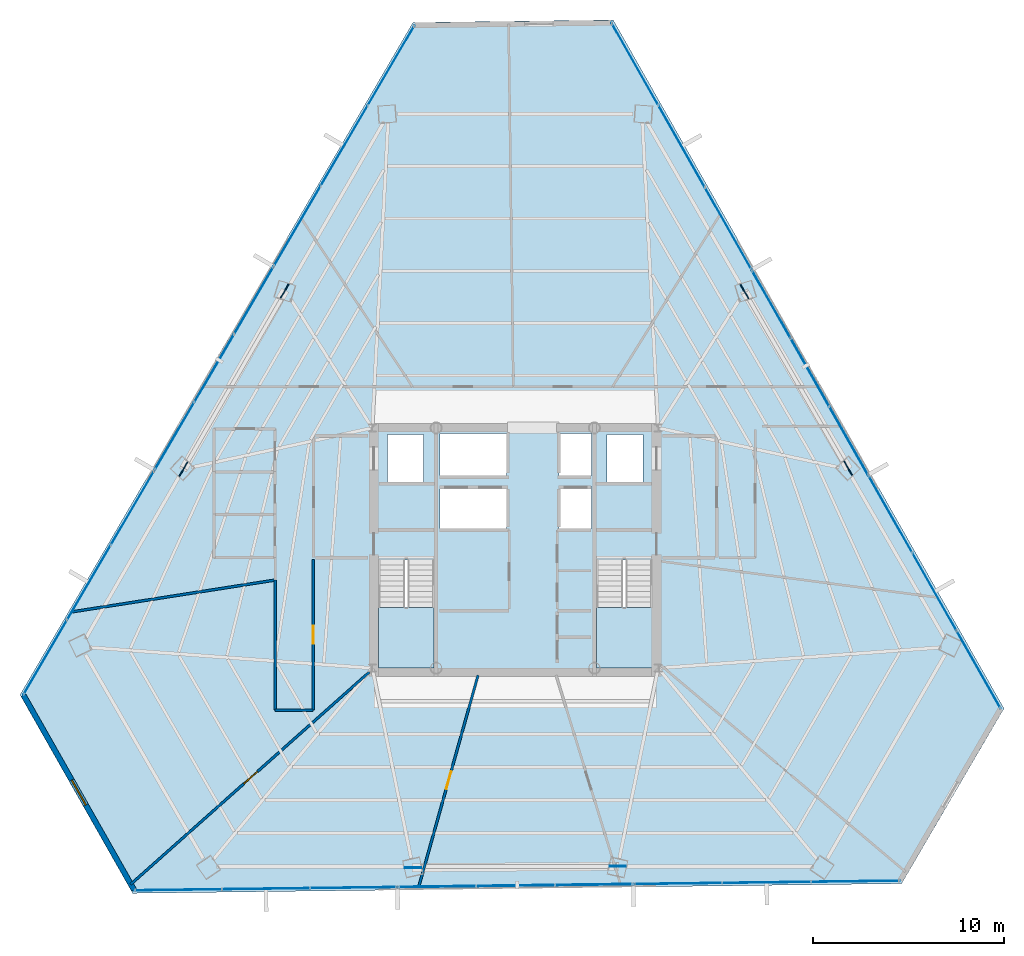
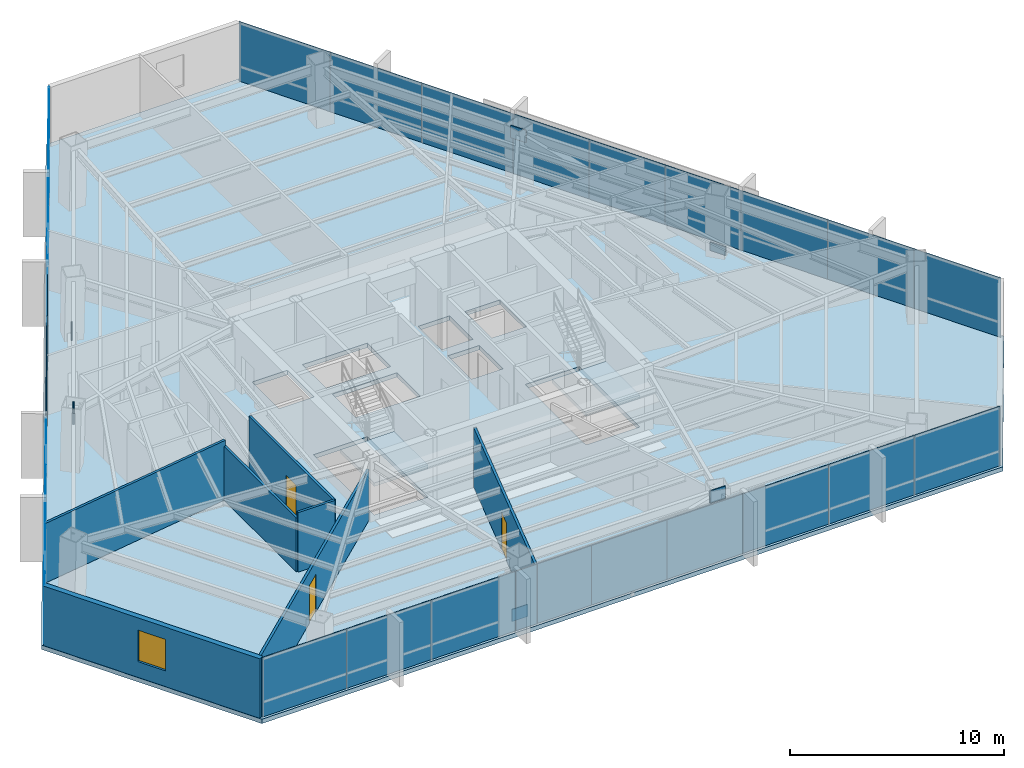
# One storey, part 35 of 41: 33 plates, 7 walls, 3 doors, 3 slabs, 1 window, 4 openings, 11 elements without a shape of their own.
"""IFC4 building model written with IfcOpenShell, lengths in metres."""

from ifc_helpers import new_model, si_unit, direction, frame, frame_2d, origin, origin_2d, place, context, subcontext, project, spatial, polyline, rectangle, outline, extrude, source, transform, mapped, material, layer, layer_set, type_object, type_shapes, element, fill, aggregate, save


model = new_model("IFC4")

# Units and contexts
model_context = context("Model", 3, precision=1e-05, world=origin(), true_north=direction((0.0, 1.0)))
body_context = subcontext(model_context, "Body", "Model", "MODEL_VIEW")
ifc_project = project(units=[si_unit("LENGTHUNIT", "METRE"), si_unit("AREAUNIT", "SQUARE_METRE"), si_unit("VOLUMEUNIT", "CUBIC_METRE"), si_unit("PLANEANGLEUNIT", "RADIAN"), si_unit("MASSUNIT", "GRAM", prefix="KILO")], contexts=[model_context])

# Site, building, storey
site_placement = place(None, origin())
site = spatial("IfcSite", under=ifc_project, at=site_placement, CompositionType="ELEMENT")
building_placement = place(site_placement, origin())
building = spatial("IfcBuilding", under=site, at=building_placement, Name="Caelisora Broadcast Tower", CompositionType="ELEMENT")
storey_placement = place(building_placement, frame((0.0, 0.0, 135.449951171875)))
storey = spatial("IfcBuildingStorey", under=building, at=storey_placement, Name="L35", CompositionType="ELEMENT", Elevation=135.449951171875)

# Slab
ifc_material_1 = material(Name="Concrete 40 MPa (AS 3600 N40)", Category="concrete")
ifc_layer_1 = layer(ifc_material_1, 0.25, Name="Concrete 40 MPa (AS 3600 N40)")
ifc_layer_set_1 = layer_set([ifc_layer_1], Name="Concrete 40 MPa (AS 3600 N40)")
slab_type_1 = type_object("IfcSlabType", Name="SL04", PredefinedType="FLOOR", material=ifc_layer_set_1)
slab_1_placement = place(storey_placement, frame((0.0, 0.0, -0.25)))
element("IfcSlab", 1, at=slab_1_placement, inside=storey, type_object=slab_type_1, Name="L35 suspended floor SL04", PredefinedType="FLOOR", context=body_context, shape_type="SweptSolid", body=[
    extrude(outline(polyline([(43.139892578125, 51.39697265625), (32.631103515625, 51.263916015625), (12.02392578125, 16.0009765625), (17.931884765625, 5.591064453125), (58.26708984375, 6.09912109375), (63.635986328125, 15.285888671875), (43.139892578125, 51.39697265625)]), holes=[polyline([(30.820068359375, 17.39990234375), (33.739990234375, 17.39990234375), (33.739990234375, 23.080078125), (30.820068359375, 23.080078125), (30.820068359375, 17.39990234375)]), polyline([(42.260009765625, 17.39990234375), (45.179931640625, 17.39990234375), (45.179931640625, 23.080078125), (42.260009765625, 23.080078125), (42.260009765625, 17.39990234375)]), polyline([(42.800048828125, 27.14990234375), (44.699951171875, 27.14990234375), (44.699951171875, 29.64990234375), (42.800048828125, 29.64990234375), (42.800048828125, 27.14990234375)]), polyline([(40.300048828125, 24.719970703125), (42.0, 24.719970703125), (42.0, 26.919921875), (40.300048828125, 26.919921875), (40.300048828125, 24.719970703125)]), polyline([(40.300048828125, 27.5), (42.0, 27.5), (42.0, 29.699951171875), (40.300048828125, 29.699951171875), (40.300048828125, 27.5)]), polyline([(34.050048828125, 24.719970703125), (37.550048828125, 24.719970703125), (37.550048828125, 26.919921875), (34.050048828125, 26.919921875), (34.050048828125, 24.719970703125)]), polyline([(34.050048828125, 27.5), (37.550048828125, 27.5), (37.550048828125, 29.699951171875), (34.050048828125, 29.699951171875), (34.050048828125, 27.5)]), polyline([(31.300048828125, 27.14990234375), (33.199951171875, 27.14990234375), (33.199951171875, 29.64990234375), (31.300048828125, 29.64990234375), (31.300048828125, 27.14990234375)])]), origin(), (0.0, 0.0, 1.0), 0.25),
])

# Stair, slab
stair_type_1 = type_object("IfcStairType", Name="ST-1", PredefinedType="HALF_TURN_STAIR", material=ifc_material_1)
stair_1_placement = place(storey_placement, origin())
stair_1 = element("IfcStair", 2, at=stair_1_placement, inside=storey, type_object=stair_type_1, Name="L35 West Fire-Isolated Tower Stair", PredefinedType="HALF_TURN_STAIR")
ifc_layer_2 = layer(ifc_material_1, 0.199951171875, Name="Concrete 40 MPa (AS 3600 N40)")
ifc_layer_set_2 = layer_set([ifc_layer_2], Name="Concrete 40 MPa (AS 3600 N40)")
slab_type_2 = type_object("IfcSlabType", Name="STL-1", PredefinedType="LANDING", material=ifc_layer_set_2)
slab_2_placement = place(storey_placement, frame((0.0, 0.0, 1.625)))
slab_2 = element("IfcSlab", 3, at=slab_2_placement, type_object=slab_type_2, Name="ST-1 landing 1", PredefinedType="LANDING", context=body_context, shape_type="SweptSolid", body=[
    extrude(outline(polyline([(30.820068359375, 20.580078125), (30.820068359375, 17.39990234375), (33.739990234375, 17.39990234375), (33.739990234375, 20.580078125), (30.820068359375, 20.580078125)])), origin(), (0.0, 0.0, 1.0), 0.199951171875),
])
aggregate(stair_1, [slab_2])

stair_type_2 = type_object("IfcStairType", Name="ST-2", PredefinedType="HALF_TURN_STAIR", material=ifc_material_1)
stair_2_placement = place(storey_placement, origin())
stair_2 = element("IfcStair", 4, at=stair_2_placement, inside=storey, type_object=stair_type_2, Name="L35 East Fire-Isolated Tower Stair", PredefinedType="HALF_TURN_STAIR")
slab_3_placement = place(storey_placement, frame((0.0, 0.0, 1.625)))
slab_3 = element("IfcSlab", 5, at=slab_3_placement, type_object=slab_type_2, Name="ST-2 landing 1", PredefinedType="LANDING", context=body_context, shape_type="SweptSolid", body=[
    extrude(outline(polyline([(42.260009765625, 20.580078125), (42.260009765625, 17.39990234375), (45.179931640625, 17.39990234375), (45.179931640625, 20.580078125), (42.260009765625, 20.580078125)])), origin(), (0.0, 0.0, 1.0), 0.199951171875),
])
aggregate(stair_2, [slab_3])

# Plates
ifc_material_2 = material(Name="Steel Grade 350 L15 (AS/NZS 3678)", Category="steel")
ifc_layer_3 = layer(ifc_material_2, 0.050048828125, Name="Steel Grade 350 L15 (AS/NZS 3678)")
ifc_layer_set_3 = layer_set([ifc_layer_3], Name="Steel Grade 350 L15 (AS/NZS 3678)")
plate_type_1 = type_object("IfcPlateType", Name="GP03", PredefinedType="USERDEFINED", material=ifc_layer_set_3)
shared_shape_1 = source(origin(), body_context, "Body", "SweptSolid", [
    extrude(rectangle(XDim=0.85009765625, YDim=0.050048828125, at=origin_2d()), origin(), (0.0, 0.0, 1.0), 0.699951171875),
])
type_shapes(plate_type_1, [shared_shape_1])
for number, where, z_axis, x_axis, name in (
    (6, (25.9033203125, 37.17529296875, -0.22998046875), (0.0, 0.0, 1.0), (-0.5, -0.866025403784, 0.0), "L35 gusset plate GP03 (ND-L35-C02B)"),
    (7, (20.595947265625, 27.838134765625, 2.72998046875), (0.0, 0.0, 1.0), (-0.5, -0.866025403784, 0.0), "L35 gusset plate GP03 (ND-L35-C03T)"),
    (8, (32.638427734375, 6.936279296875, -0.22998046875), (0.0, 0.0, 1.0), (1.0, 0.0, 0.0), "L35 gusset plate GP03 (ND-L35-C06B)"),
    (9, (43.3779296875, 7.008544921875, 2.72998046875), (0.0, 0.0, 1.0), (1.0, 0.0, 0.0), "L35 gusset plate GP03 (ND-L35-C07T)"),
    (10, (55.45849609375, 27.888671875, -0.22998046875), (0.0, 0.0, 1.0), (-0.5, 0.866025403784, 0.0), "L35 gusset plate GP03 (ND-L35-C10B)"),
    (11, (50.02587890625, 37.1533203125, 2.72998046875), (0.0, 0.0, 1.0), (-0.5, 0.866025403784, 0.0), "L35 gusset plate GP03 (ND-L35-C11T)"),
):
    element("IfcPlate", number, at=place(storey_placement, frame(where, z_axis=z_axis, x_axis=x_axis)), inside=storey, type_object=plate_type_1, Name=name, ObjectType="GUSSET PLATE", PredefinedType="USERDEFINED", context=body_context, shape_type="MappedRepresentation", body=[
        mapped(shared_shape_1, transform((0.0, 0.0, 0.0), scale=1.0)),
    ])

# Curtain wall, plates
ifc_material_3 = material(Name="Unitised Aluminium and Low-E Glass Curtain Wall", Category="glass")
curtain_wall_type_1 = type_object("IfcCurtainWallType", Name="CW-Z3", PredefinedType="NOTDEFINED", material=ifc_material_3)
curtain_wall_1_placement = place(storey_placement, origin())
curtain_wall_1 = element("IfcCurtainWall", 12, at=curtain_wall_1_placement, inside=storey, type_object=curtain_wall_type_1, Name="L35 curtain wall CW-Z3", PredefinedType="NOTDEFINED")
ifc_material_4 = material(Name="Double Glazed Low-E Argon IGU", Category="glass")
ifc_layer_4 = layer(ifc_material_4, 0.031982421875, Name="Double Glazed Low-E Argon IGU")
ifc_layer_set_4 = layer_set([ifc_layer_4], Name="Double Glazed Low-E Argon IGU")
plate_type_2 = type_object("IfcPlateType", Name="CWP-04", PredefinedType="CURTAIN_PANEL", material=ifc_layer_set_4)
shared_shape_2 = source(origin(), body_context, "Body", "SweptSolid", [
    extrude(rectangle(XDim=4.961181640625, YDim=0.031982421875, at=origin_2d()), origin(), (0.0, 0.0, 1.0), 3.39990234375),
])
plate_1_placement = place(storey_placement, frame((44.277587890625, 49.088623046875, 0.0), z_axis=(0.0, 0.0, 1.0), x_axis=(0.493638325511, -0.869667294767, 0.0)))
plate_1 = element("IfcPlate", 13, at=plate_1_placement, type_object=plate_type_2, Name="L35-CW-B01 glazed panel #1", PredefinedType="CURTAIN_PANEL", context=body_context, shape_type="MappedRepresentation", body=[
    mapped(shared_shape_2, transform((0.0, 0.0, 0.0), scale=1.0)),
])
plate_2_placement = place(storey_placement, frame((46.7265625, 44.77392578125, 0.0), z_axis=(0.0, 0.0, 1.0), x_axis=(0.493638325511, -0.869667294767, 0.0)))
plate_2 = element("IfcPlate", 14, at=plate_2_placement, type_object=plate_type_2, Name="L35-CW-B01 glazed panel #2", PredefinedType="CURTAIN_PANEL", context=body_context, shape_type="MappedRepresentation", body=[
    mapped(shared_shape_2, transform((0.0, 0.0, 0.0), scale=1.0)),
])
plate_3_placement = place(storey_placement, frame((49.175537109375, 40.458984375, 0.0), z_axis=(0.0, 0.0, 1.0), x_axis=(0.493638325511, -0.869667294767, 0.0)))
plate_3 = element("IfcPlate", 15, at=plate_3_placement, type_object=plate_type_2, Name="L35-CW-B01 glazed panel #3", PredefinedType="CURTAIN_PANEL", context=body_context, shape_type="MappedRepresentation", body=[
    mapped(shared_shape_2, transform((0.0, 0.0, 0.0), scale=1.0)),
])
aggregate(curtain_wall_1, [plate_1, plate_2, plate_3])

ifc_material_5 = material(Name="Unitised Aluminium Insulated Shadow-Box Spandrel Curtain Wall", Category="aluminium")
curtain_wall_type_2 = type_object("IfcCurtainWallType", Name="CW-SP2", PredefinedType="NOTDEFINED", material=ifc_material_5)
curtain_wall_2_placement = place(storey_placement, origin())
curtain_wall_2 = element("IfcCurtainWall", 16, at=curtain_wall_2_placement, inside=storey, type_object=curtain_wall_type_2, Name="L35 curtain wall CW-SP2", PredefinedType="NOTDEFINED")
ifc_material_6 = material(Name="Insulated Terracotta Shadow-Box Spandrel Panel", Category="aluminium")
ifc_layer_5 = layer(ifc_material_6, 0.0439453125, Name="Insulated Terracotta Shadow-Box Spandrel Panel")
ifc_layer_set_5 = layer_set([ifc_layer_5], Name="Insulated Terracotta Shadow-Box Spandrel Panel")
plate_type_3 = type_object("IfcPlateType", Name="CWP-10", PredefinedType="CURTAIN_PANEL", material=ifc_layer_set_5)
shared_shape_3 = source(origin(), body_context, "Body", "SweptSolid", [
    extrude(rectangle(XDim=4.12109375, YDim=0.0439453125, at=origin_2d()), origin(), (0.0, 0.0, 1.0), 3.39990234375),
])
plate_4_placement = place(storey_placement, frame((51.422119140625, 36.5009765625, 0.0), z_axis=(0.0, 0.0, 1.0), x_axis=(0.493638325511, -0.869667294767, 0.0)))
plate_4 = element("IfcPlate", 17, at=plate_4_placement, type_object=plate_type_3, Name="L35-CW-B02 spandrel panel #1", PredefinedType="CURTAIN_PANEL", context=body_context, shape_type="MappedRepresentation", body=[
    mapped(shared_shape_3, transform((0.0, 0.0, 0.0), scale=1.0)),
])
plate_5_placement = place(storey_placement, frame((53.456298828125, 32.9169921875, 0.0), z_axis=(0.0, 0.0, 1.0), x_axis=(0.493638325511, -0.869667294767, 0.0)))
plate_5 = element("IfcPlate", 18, at=plate_5_placement, type_object=plate_type_3, Name="L35-CW-B02 spandrel panel #2", PredefinedType="CURTAIN_PANEL", context=body_context, shape_type="MappedRepresentation", body=[
    mapped(shared_shape_3, transform((0.0, 0.0, 0.0), scale=1.0)),
])
plate_6_placement = place(storey_placement, frame((55.490478515625, 29.333251953125, 0.0), z_axis=(0.0, 0.0, 1.0), x_axis=(0.493638325511, -0.869667294767, 0.0)))
plate_6 = element("IfcPlate", 19, at=plate_6_placement, type_object=plate_type_3, Name="L35-CW-B02 spandrel panel #3", PredefinedType="CURTAIN_PANEL", context=body_context, shape_type="MappedRepresentation", body=[
    mapped(shared_shape_3, transform((0.0, 0.0, 0.0), scale=1.0)),
])
aggregate(curtain_wall_2, [plate_4, plate_5, plate_6])

curtain_wall_3_placement = place(storey_placement, origin())
curtain_wall_3 = element("IfcCurtainWall", 20, at=curtain_wall_3_placement, inside=storey, type_object=curtain_wall_type_2, Name="L35 curtain wall CW-SP2", PredefinedType="NOTDEFINED")
plate_7_placement = place(storey_placement, frame((20.126220703125, 29.568115234375, 0.0), z_axis=(0.0, 0.0, 1.0), x_axis=(0.504527623815, 0.863395550607, 0.0)))
plate_7 = element("IfcPlate", 21, at=plate_7_placement, type_object=plate_type_3, Name="L35-CW-B10 spandrel panel #1", PredefinedType="CURTAIN_PANEL", context=body_context, shape_type="MappedRepresentation", body=[
    mapped(shared_shape_3, transform((0.0, 0.0, 0.0), scale=1.0)),
])
plate_8_placement = place(storey_placement, frame((22.205322265625, 33.126220703125, 0.0), z_axis=(0.0, 0.0, 1.0), x_axis=(0.504527623815, 0.863395550607, 0.0)))
plate_8 = element("IfcPlate", 22, at=plate_8_placement, type_object=plate_type_3, Name="L35-CW-B10 spandrel panel #2", PredefinedType="CURTAIN_PANEL", context=body_context, shape_type="MappedRepresentation", body=[
    mapped(shared_shape_3, transform((0.0, 0.0, 0.0), scale=1.0)),
])
plate_9_placement = place(storey_placement, frame((24.28466796875, 36.68408203125, 0.0), z_axis=(0.0, 0.0, 1.0), x_axis=(0.504527623815, 0.863395550607, 0.0)))
plate_9 = element("IfcPlate", 23, at=plate_9_placement, type_object=plate_type_3, Name="L35-CW-B10 spandrel panel #3", PredefinedType="CURTAIN_PANEL", context=body_context, shape_type="MappedRepresentation", body=[
    mapped(shared_shape_3, transform((0.0, 0.0, 0.0), scale=1.0)),
])
aggregate(curtain_wall_3, [plate_7, plate_8, plate_9])

curtain_wall_4_placement = place(storey_placement, origin())
curtain_wall_4 = element("IfcCurtainWall", 24, at=curtain_wall_4_placement, inside=storey, type_object=curtain_wall_type_1, Name="L35 curtain wall CW-Z3", PredefinedType="NOTDEFINED")
shared_shape_4 = source(origin(), body_context, "Body", "SweptSolid", [
    extrude(rectangle(XDim=4.693603515625, YDim=0.031982421875, at=origin_2d()), origin(), (0.0, 0.0, 1.0), 3.39990234375),
])
plate_10_placement = place(storey_placement, frame((57.6708984375, 25.49169921875, 0.0), z_axis=(0.0, 0.0, 1.0), x_axis=(0.493638325511, -0.869667294767, 0.0)))
plate_10 = element("IfcPlate", 25, at=plate_10_placement, type_object=plate_type_2, Name="L35-CW-B03 glazed panel #1", PredefinedType="CURTAIN_PANEL", context=body_context, shape_type="MappedRepresentation", body=[
    mapped(shared_shape_4, transform((0.0, 0.0, 0.0), scale=1.0)),
])
plate_11_placement = place(storey_placement, frame((59.98779296875, 21.409912109375, 0.0), z_axis=(0.0, 0.0, 1.0), x_axis=(0.493638325511, -0.869667294767, 0.0)))
plate_11 = element("IfcPlate", 26, at=plate_11_placement, type_object=plate_type_2, Name="L35-CW-B03 glazed panel #2", PredefinedType="CURTAIN_PANEL", context=body_context, shape_type="MappedRepresentation", body=[
    mapped(shared_shape_4, transform((0.0, 0.0, 0.0), scale=1.0)),
])
plate_12_placement = place(storey_placement, frame((62.3046875, 17.327880859375, 0.0), z_axis=(0.0, 0.0, 1.0), x_axis=(0.493638325511, -0.869667294767, 0.0)))
plate_12 = element("IfcPlate", 27, at=plate_12_placement, type_object=plate_type_2, Name="L35-CW-B03 glazed panel #3", PredefinedType="CURTAIN_PANEL", context=body_context, shape_type="MappedRepresentation", body=[
    mapped(shared_shape_4, transform((0.0, 0.0, 0.0), scale=1.0)),
])
aggregate(curtain_wall_4, [plate_10, plate_11, plate_12])

curtain_wall_5_placement = place(storey_placement, origin())
curtain_wall_5 = element("IfcCurtainWall", 28, at=curtain_wall_5_placement, inside=storey, type_object=curtain_wall_type_1, Name="L35 curtain wall CW-Z3", PredefinedType="NOTDEFINED")
shared_shape_5 = source(origin(), body_context, "Body", "SweptSolid", [
    extrude(rectangle(XDim=4.659423828125, YDim=0.031982421875, at=origin_2d()), origin(), (0.0, 0.0, 1.0), 3.39990234375),
])
plate_13_placement = place(storey_placement, frame((55.850341796875, 6.218505859375, 0.0), z_axis=(0.0, 0.0, 1.0), x_axis=(-0.999921044204, -0.012566039883, 0.0)))
plate_13 = element("IfcPlate", 29, at=plate_13_placement, type_object=plate_type_2, Name="L35-CW-B05 glazed panel #1", PredefinedType="CURTAIN_PANEL", context=body_context, shape_type="MappedRepresentation", body=[
    mapped(shared_shape_5, transform((0.0, 0.0, 0.0), scale=1.0)),
])
plate_14_placement = place(storey_placement, frame((51.19140625, 6.159912109375, 0.0), z_axis=(0.0, 0.0, 1.0), x_axis=(-0.999921044204, -0.012566039883, 0.0)))
plate_14 = element("IfcPlate", 30, at=plate_14_placement, type_object=plate_type_2, Name="L35-CW-B05 glazed panel #2", PredefinedType="CURTAIN_PANEL", context=body_context, shape_type="MappedRepresentation", body=[
    mapped(shared_shape_5, transform((0.0, 0.0, 0.0), scale=1.0)),
])
plate_15_placement = place(storey_placement, frame((46.531982421875, 6.101318359375, 0.0), z_axis=(0.0, 0.0, 1.0), x_axis=(-0.999921044204, -0.012566039883, 0.0)))
plate_15 = element("IfcPlate", 31, at=plate_15_placement, type_object=plate_type_2, Name="L35-CW-B05 glazed panel #3", PredefinedType="CURTAIN_PANEL", context=body_context, shape_type="MappedRepresentation", body=[
    mapped(shared_shape_5, transform((0.0, 0.0, 0.0), scale=1.0)),
])
aggregate(curtain_wall_5, [plate_13, plate_14, plate_15])

curtain_wall_6_placement = place(storey_placement, origin())
curtain_wall_6 = element("IfcCurtainWall", 32, at=curtain_wall_6_placement, inside=storey, type_object=curtain_wall_type_2, Name="L35 curtain wall CW-SP2", PredefinedType="NOTDEFINED")
shared_shape_6 = source(origin(), body_context, "Body", "SweptSolid", [
    extrude(rectangle(XDim=4.120849609375, YDim=0.0439453125, at=origin_2d()), origin(), (0.0, 0.0, 1.0), 3.39990234375),
])
type_shapes(plate_type_3, [shared_shape_3, shared_shape_6])
plate_16_placement = place(storey_placement, frame((42.13232421875, 6.0458984375, 0.0), z_axis=(0.0, 0.0, 1.0), x_axis=(-0.999921044204, -0.012566039883, 0.0)))
plate_16 = element("IfcPlate", 33, at=plate_16_placement, type_object=plate_type_3, Name="L35-CW-B06 spandrel panel #1", PredefinedType="CURTAIN_PANEL", context=body_context, shape_type="MappedRepresentation", body=[
    mapped(shared_shape_6, transform((0.0, 0.0, 0.0), scale=1.0)),
])
plate_17_placement = place(storey_placement, frame((38.011962890625, 5.993896484375, 0.0), z_axis=(0.0, 0.0, 1.0), x_axis=(-0.999921044204, -0.012566039883, 0.0)))
plate_17 = element("IfcPlate", 34, at=plate_17_placement, type_object=plate_type_3, Name="L35-CW-B06 spandrel panel #2", PredefinedType="CURTAIN_PANEL", context=body_context, shape_type="MappedRepresentation", body=[
    mapped(shared_shape_6, transform((0.0, 0.0, 0.0), scale=1.0)),
])
plate_18_placement = place(storey_placement, frame((33.891357421875, 5.94189453125, 0.0), z_axis=(0.0, 0.0, 1.0), x_axis=(-0.999921044204, -0.012566039883, 0.0)))
plate_18 = element("IfcPlate", 35, at=plate_18_placement, type_object=plate_type_3, Name="L35-CW-B06 spandrel panel #3", PredefinedType="CURTAIN_PANEL", context=body_context, shape_type="MappedRepresentation", body=[
    mapped(shared_shape_6, transform((0.0, 0.0, 0.0), scale=1.0)),
])
aggregate(curtain_wall_6, [plate_16, plate_17, plate_18])

curtain_wall_7_placement = place(storey_placement, origin())
curtain_wall_7 = element("IfcCurtainWall", 36, at=curtain_wall_7_placement, inside=storey, type_object=curtain_wall_type_1, Name="L35 curtain wall CW-Z3", PredefinedType="NOTDEFINED")
shared_shape_7 = source(origin(), body_context, "Body", "SweptSolid", [
    extrude(rectangle(XDim=4.60107421875, YDim=0.031982421875, at=origin_2d()), origin(), (0.0, 0.0, 1.0), 3.39990234375),
])
plate_19_placement = place(storey_placement, frame((29.520751953125, 5.886962890625, 0.0), z_axis=(0.0, 0.0, 1.0), x_axis=(-0.999921044204, -0.012566039883, 0.0)))
plate_19 = element("IfcPlate", 37, at=plate_19_placement, type_object=plate_type_2, Name="L35-CW-B07 glazed panel #1", PredefinedType="CURTAIN_PANEL", context=body_context, shape_type="MappedRepresentation", body=[
    mapped(shared_shape_7, transform((0.0, 0.0, 0.0), scale=1.0)),
])
plate_20_placement = place(storey_placement, frame((24.920166015625, 5.828857421875, 0.0), z_axis=(0.0, 0.0, 1.0), x_axis=(-0.999921044204, -0.012566039883, 0.0)))
plate_20 = element("IfcPlate", 38, at=plate_20_placement, type_object=plate_type_2, Name="L35-CW-B07 glazed panel #2", PredefinedType="CURTAIN_PANEL", context=body_context, shape_type="MappedRepresentation", body=[
    mapped(shared_shape_7, transform((0.0, 0.0, 0.0), scale=1.0)),
])
plate_21_placement = place(storey_placement, frame((20.3193359375, 5.77099609375, 0.0), z_axis=(0.0, 0.0, 1.0), x_axis=(-0.999921044204, -0.012566039883, 0.0)))
plate_21 = element("IfcPlate", 39, at=plate_21_placement, type_object=plate_type_2, Name="L35-CW-B07 glazed panel #3", PredefinedType="CURTAIN_PANEL", context=body_context, shape_type="MappedRepresentation", body=[
    mapped(shared_shape_7, transform((0.0, 0.0, 0.0), scale=1.0)),
])
aggregate(curtain_wall_7, [plate_19, plate_20, plate_21])

curtain_wall_8_placement = place(storey_placement, origin())
curtain_wall_8 = element("IfcCurtainWall", 40, at=curtain_wall_8_placement, inside=storey, type_object=curtain_wall_type_1, Name="L35 curtain wall CW-Z3", PredefinedType="NOTDEFINED")
shared_shape_8 = source(origin(), body_context, "Body", "SweptSolid", [
    extrude(rectangle(XDim=4.548095703125, YDim=0.031982421875, at=origin_2d()), origin(), (0.0, 0.0, 1.0), 3.39990234375),
])
plate_22_placement = place(storey_placement, frame((13.344482421875, 17.96337890625, 0.0), z_axis=(0.0, 0.0, 1.0), x_axis=(0.504527623815, 0.863395550607, 0.0)))
plate_22 = element("IfcPlate", 41, at=plate_22_placement, type_object=plate_type_2, Name="L35-CW-B09 glazed panel #1", PredefinedType="CURTAIN_PANEL", context=body_context, shape_type="MappedRepresentation", body=[
    mapped(shared_shape_8, transform((0.0, 0.0, 0.0), scale=1.0)),
])
plate_23_placement = place(storey_placement, frame((15.63916015625, 21.890380859375, 0.0), z_axis=(0.0, 0.0, 1.0), x_axis=(0.504527623815, 0.863395550607, 0.0)))
plate_23 = element("IfcPlate", 42, at=plate_23_placement, type_object=plate_type_2, Name="L35-CW-B09 glazed panel #2", PredefinedType="CURTAIN_PANEL", context=body_context, shape_type="MappedRepresentation", body=[
    mapped(shared_shape_8, transform((0.0, 0.0, 0.0), scale=1.0)),
])
plate_24_placement = place(storey_placement, frame((17.93408203125, 25.817138671875, 0.0), z_axis=(0.0, 0.0, 1.0), x_axis=(0.504527623815, 0.863395550607, 0.0)))
plate_24 = element("IfcPlate", 43, at=plate_24_placement, type_object=plate_type_2, Name="L35-CW-B09 glazed panel #3", PredefinedType="CURTAIN_PANEL", context=body_context, shape_type="MappedRepresentation", body=[
    mapped(shared_shape_8, transform((0.0, 0.0, 0.0), scale=1.0)),
])
aggregate(curtain_wall_8, [plate_22, plate_23, plate_24])

curtain_wall_9_placement = place(storey_placement, origin())
curtain_wall_9 = element("IfcCurtainWall", 44, at=curtain_wall_9_placement, inside=storey, type_object=curtain_wall_type_1, Name="L35 curtain wall CW-Z3", PredefinedType="NOTDEFINED")
shared_shape_9 = source(origin(), body_context, "Body", "SweptSolid", [
    extrude(rectangle(XDim=4.88134765625, YDim=0.031982421875, at=origin_2d()), origin(), (0.0, 0.0, 1.0), 3.39990234375),
])
type_shapes(plate_type_2, [shared_shape_2, shared_shape_4, shared_shape_5, shared_shape_7, shared_shape_8, shared_shape_9])
plate_25_placement = place(storey_placement, frame((26.560791015625, 40.5791015625, 0.0), z_axis=(0.0, 0.0, 1.0), x_axis=(0.504527623815, 0.863395550607, 0.0)))
plate_25 = element("IfcPlate", 45, at=plate_25_placement, type_object=plate_type_2, Name="L35-CW-B11 glazed panel #1", PredefinedType="CURTAIN_PANEL", context=body_context, shape_type="MappedRepresentation", body=[
    mapped(shared_shape_9, transform((0.0, 0.0, 0.0), scale=1.0)),
])
plate_26_placement = place(storey_placement, frame((29.023681640625, 44.79345703125, 0.0), z_axis=(0.0, 0.0, 1.0), x_axis=(0.504527623815, 0.863395550607, 0.0)))
plate_26 = element("IfcPlate", 46, at=plate_26_placement, type_object=plate_type_2, Name="L35-CW-B11 glazed panel #2", PredefinedType="CURTAIN_PANEL", context=body_context, shape_type="MappedRepresentation", body=[
    mapped(shared_shape_9, transform((0.0, 0.0, 0.0), scale=1.0)),
])
plate_27_placement = place(storey_placement, frame((31.486572265625, 49.0078125, 0.0), z_axis=(0.0, 0.0, 1.0), x_axis=(0.504527623815, 0.863395550607, 0.0)))
plate_27 = element("IfcPlate", 47, at=plate_27_placement, type_object=plate_type_2, Name="L35-CW-B11 glazed panel #3", PredefinedType="CURTAIN_PANEL", context=body_context, shape_type="MappedRepresentation", body=[
    mapped(shared_shape_9, transform((0.0, 0.0, 0.0), scale=1.0)),
])
aggregate(curtain_wall_9, [plate_25, plate_26, plate_27])

# Wall, opening, window
ifc_material_7 = material(Name="Insulated Terracotta Spandrel Wall System", Category="masonry")
ifc_layer_6 = layer(ifc_material_7, 0.280029296875, Name="Insulated Terracotta Spandrel Wall System")
ifc_layer_set_6 = layer_set([ifc_layer_6], Name="Insulated Terracotta Spandrel Wall System")
wall_type_1 = type_object("IfcWallType", Name="EW1", PredefinedType="STANDARD", material=ifc_layer_set_6)
wall_1_placement = place(storey_placement, frame((18.004150390625, 5.76806640625, 0.0), z_axis=(0.0, 0.0, 1.0), x_axis=(-0.493589358445, 0.869695087505, 0.0)))
wall_1 = element("IfcWall", 48, at=wall_1_placement, inside=storey, type_object=wall_type_1, Name="L35 exterior envelope wall EW1", PredefinedType="STANDARD", context=body_context, shape_type="SweptSolid", body=[
    extrude(rectangle(XDim=11.73486328125, YDim=0.280029296875, at=frame_2d((5.867431640625, 0.0))), origin(), (0.0, 0.0, 1.0), 3.400146484375),
])
opening_1_placement = place(wall_1_placement, frame((5.1201171875, 0.0, 0.89990234375)))
opening_1 = element("IfcOpeningElement", 49, at=opening_1_placement, cuts=wall_1, Name="Opening W02", PredefinedType="OPENING", context=body_context, shape_type="SweptSolid", body=[
    extrude(rectangle(XDim=1.5, YDim=1.800048828125, at=frame_2d((0.75, 0.89990234375))), frame((0.0, 0.152099609375, 0.0), z_axis=(0.0, -1.0, 0.0), x_axis=(1.0, 0.0, 0.0)), (0.0, 0.0, 1.0), 0.303955078125),
])
ifc_material_8 = material(Name="Double Glazed Terracotta-Framed Vision Window", Category="glass")
window_type = type_object("IfcWindowType", Name="W02", PartitioningType="SINGLE_PANEL", PredefinedType="WINDOW", material=ifc_material_8)
window_placement = place(opening_1_placement, origin())
window = element("IfcWindow", 50, at=window_placement, inside=storey, type_object=window_type, Name="L35 window W02 (L35-WN-CH4)", OverallHeight=1.800048828125, OverallWidth=1.5, PartitioningType="SINGLE_PANEL", PredefinedType="WINDOW", context=body_context, shape_type="SweptSolid", body=[
    extrude(rectangle(XDim=1.5, YDim=1.800048828125, at=frame_2d((0.75, 0.89990234375))), frame((0.0, 0.030029296875, 0.0), z_axis=(0.0, -1.0, 0.0), x_axis=(1.0, 0.0, 0.0)), (0.0, 0.0, 1.0), 0.06005859375),
])
fill(opening_1, window)

# Wall, opening, door
ifc_material_9 = material(Name="Acoustic Steel-Stud Plasterboard Partition", Category="gypsum")
ifc_layer_7 = layer(ifc_material_9, 0.1298828125, Name="Acoustic Steel-Stud Plasterboard Partition")
ifc_layer_set_7 = layer_set([ifc_layer_7], Name="Acoustic Steel-Stud Plasterboard Partition")
wall_type_2 = type_object("IfcWallType", Name="PW3", PredefinedType="PARTITIONING", material=ifc_layer_set_7)
wall_2_placement = place(storey_placement, frame((17.830810546875, 6.06298828125, 0.0), z_axis=(0.0, 0.0, 1.0), x_axis=(0.747287034521, 0.664501383021, 0.0)))
wall_2 = element("IfcWall", 51, at=wall_2_placement, inside=storey, type_object=wall_type_2, Name="L35 internal partition PW3", PredefinedType="PARTITIONING", context=body_context, shape_type="SweptSolid", body=[
    extrude(rectangle(XDim=16.744873046875, YDim=0.1298828125, at=frame_2d((8.37255859375, 0.0))), origin(), (0.0, 0.0, 1.0), 2.924560546875),
])
opening_2_placement = place(wall_2_placement, frame((7.93994140625, 0.0, 0.0)))
opening_2 = element("IfcOpeningElement", 52, at=opening_2_placement, cuts=wall_2, Name="Opening D01", PredefinedType="OPENING", context=body_context, shape_type="SweptSolid", body=[
    extrude(rectangle(XDim=0.9599609375, YDim=2.14990234375, at=frame_2d((0.47998046875, 1.074951171875))), frame((0.0, 0.076904296875, 0.0), z_axis=(0.0, -1.0, 0.0), x_axis=(1.0, 0.0, 0.0)), (0.0, 0.0, 1.0), 0.15380859375),
])
ifc_material_10 = material(Name="Solid-Core Timber Acoustic Office Door", Category="wood")
door_type = type_object("IfcDoorType", Name="D01", OperationType="NOTDEFINED", PredefinedType="DOOR", material=ifc_material_10)
door_1_placement = place(opening_2_placement, origin())
door_1 = element("IfcDoor", 53, at=door_1_placement, inside=storey, type_object=door_type, Name="L35 door D01 (L35-DR-P29D1)", OperationType="SINGLE_SWING_LEFT", OverallHeight=2.14990234375, OverallWidth=0.9599609375, PredefinedType="DOOR", context=body_context, shape_type="SweptSolid", body=[
    extrude(rectangle(XDim=0.9599609375, YDim=2.14990234375, at=frame_2d((0.47998046875, 1.074951171875))), frame((0.0, 0.02490234375, 0.0), z_axis=(0.0, -1.0, 0.0), x_axis=(1.0, 0.0, 0.0)), (0.0, 0.0, 1.0), 0.050048828125),
])
fill(opening_2, door_1)

wall_3_placement = place(storey_placement, frame((32.9365234375, 5.925048828125, 0.0), z_axis=(0.0, 0.0, 1.0), x_axis=(0.270006068568, 0.96285862043, 0.0)))
wall_3 = element("IfcWall", 54, at=wall_3_placement, inside=storey, type_object=wall_type_2, Name="L35 internal partition PW3", PredefinedType="PARTITIONING", context=body_context, shape_type="SweptSolid", body=[
    extrude(rectangle(XDim=11.53125, YDim=0.1298828125, at=frame_2d((5.765625, 0.0))), origin(), (0.0, 0.0, 1.0), 3.400146484375),
])
opening_3_placement = place(wall_3_placement, frame((5.3349609375, 0.0, 0.0)))
opening_3 = element("IfcOpeningElement", 55, at=opening_3_placement, cuts=wall_3, Name="Opening D01", PredefinedType="OPENING", context=body_context, shape_type="SweptSolid", body=[
    extrude(rectangle(XDim=0.9599609375, YDim=2.14990234375, at=frame_2d((0.47998046875, 1.074951171875))), frame((0.0, 0.076904296875, 0.0), z_axis=(0.0, -1.0, 0.0), x_axis=(1.0, 0.0, 0.0)), (0.0, 0.0, 1.0), 0.15380859375),
])
door_2_placement = place(opening_3_placement, origin())
door_2 = element("IfcDoor", 56, at=door_2_placement, inside=storey, type_object=door_type, Name="L35 door D01 (L35-DR-P31D1)", OperationType="SINGLE_SWING_RIGHT", OverallHeight=2.14990234375, OverallWidth=0.9599609375, PredefinedType="DOOR", context=body_context, shape_type="SweptSolid", body=[
    extrude(rectangle(XDim=0.9599609375, YDim=2.14990234375, at=frame_2d((0.47998046875, 1.074951171875))), frame((0.0, 0.02490234375, 0.0), z_axis=(0.0, -1.0, 0.0), x_axis=(1.0, 0.0, 0.0)), (0.0, 0.0, 1.0), 0.050048828125),
])
fill(opening_3, door_2)

# Wall
wall_4_placement = place(storey_placement, frame((14.73291015625, 20.349365234375, 0.0), z_axis=(0.0, 0.0, 1.0), x_axis=(0.987959356418, 0.154713638912, 0.0)))
element("IfcWall", 57, at=wall_4_placement, inside=storey, type_object=wall_type_2, Name="L35 internal partition PW3", PredefinedType="PARTITIONING", context=body_context, shape_type="SweptSolid", body=[
    extrude(rectangle(XDim=10.7919921875, YDim=0.1298828125, at=frame_2d((5.39599609375, 0.0))), origin(), (0.0, 0.0, 1.0), 3.400146484375),
])

# Wall, opening, door
wall_5_placement = place(storey_placement, frame((27.39990234375, 15.205078125, 0.0), z_axis=(0.0, 0.0, 1.0), x_axis=(0.0, 1.0, 0.0)))
wall_5 = element("IfcWall", 58, at=wall_5_placement, inside=storey, type_object=wall_type_2, Name="L35 internal partition PW3", PredefinedType="PARTITIONING", context=body_context, shape_type="SweptSolid", body=[
    extrude(rectangle(XDim=7.89990234375, YDim=0.1298828125, at=frame_2d((3.949951171875, 0.0))), origin(), (0.0, 0.0, 1.0), 3.400146484375),
])
opening_4_placement = place(wall_5_placement, frame((3.469970703125, 0.0, 0.0)))
opening_4 = element("IfcOpeningElement", 59, at=opening_4_placement, cuts=wall_5, Name="Opening D01", PredefinedType="OPENING", context=body_context, shape_type="SweptSolid", body=[
    extrude(rectangle(XDim=0.9599609375, YDim=2.14990234375, at=frame_2d((0.47998046875, 1.074951171875))), frame((0.0, 0.076904296875, 0.0), z_axis=(0.0, -1.0, 0.0), x_axis=(1.0, 0.0, 0.0)), (0.0, 0.0, 1.0), 0.15380859375),
])
door_3_placement = place(opening_4_placement, origin())
door_3 = element("IfcDoor", 60, at=door_3_placement, inside=storey, type_object=door_type, Name="L35 door D01 (L35-DR-P40D1)", OperationType="SINGLE_SWING_RIGHT", OverallHeight=2.14990234375, OverallWidth=0.9599609375, PredefinedType="DOOR", context=body_context, shape_type="SweptSolid", body=[
    extrude(rectangle(XDim=0.9599609375, YDim=2.14990234375, at=frame_2d((0.47998046875, 1.074951171875))), frame((0.0, 0.02490234375, 0.0), z_axis=(0.0, -1.0, 0.0), x_axis=(1.0, 0.0, 0.0)), (0.0, 0.0, 1.0), 0.050048828125),
])
fill(opening_4, door_3)

# Walls
wall_6_placement = place(storey_placement, frame((25.39990234375, 22.014892578125, 0.0), z_axis=(0.0, 0.0, 1.0), x_axis=(0.0, -1.0, 0.0)))
element("IfcWall", 61, at=wall_6_placement, inside=storey, type_object=wall_type_2, Name="L35 internal partition PW3", PredefinedType="PARTITIONING", context=body_context, shape_type="SweptSolid", body=[
    extrude(rectangle(XDim=6.809814453125, YDim=0.1298828125, at=frame_2d((3.40478515625, 0.0))), origin(), (0.0, 0.0, 1.0), 3.077880859375),
])
wall_7_placement = place(storey_placement, frame((25.405029296875, 15.199951171875, 0.0), z_axis=(0.0, 0.0, 1.0), x_axis=(1.0, 0.0, 0.0)))
element("IfcWall", 62, at=wall_7_placement, inside=storey, type_object=wall_type_2, Name="L35 internal partition PW3", PredefinedType="PARTITIONING", context=body_context, shape_type="SweptSolid", body=[
    extrude(rectangle(XDim=1.989990234375, YDim=0.1298828125, at=frame_2d((0.9951171875, 0.0))), origin(), (0.0, 0.0, 1.0), 3.400146484375),
])

save(model, "model.ifc")
